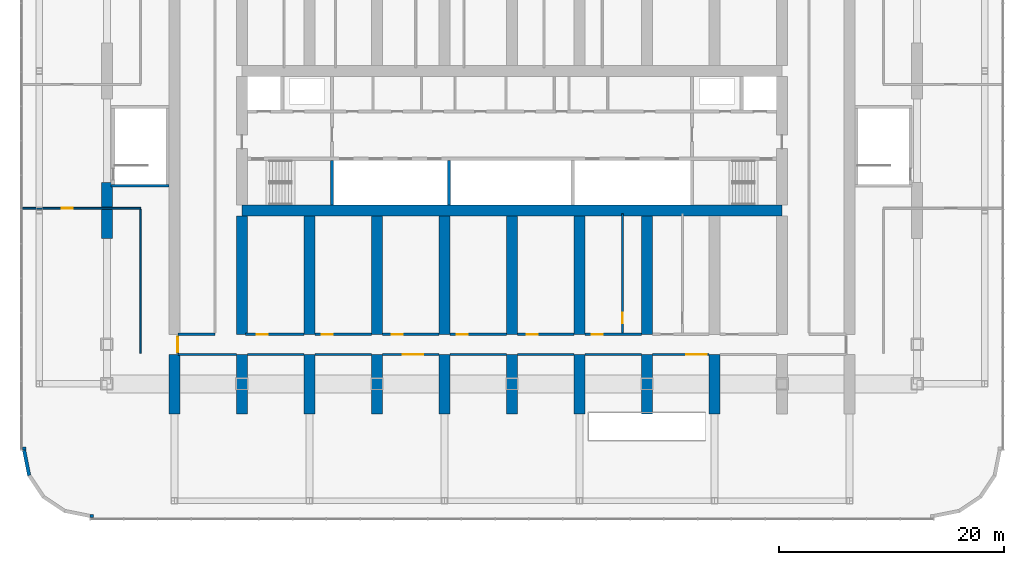
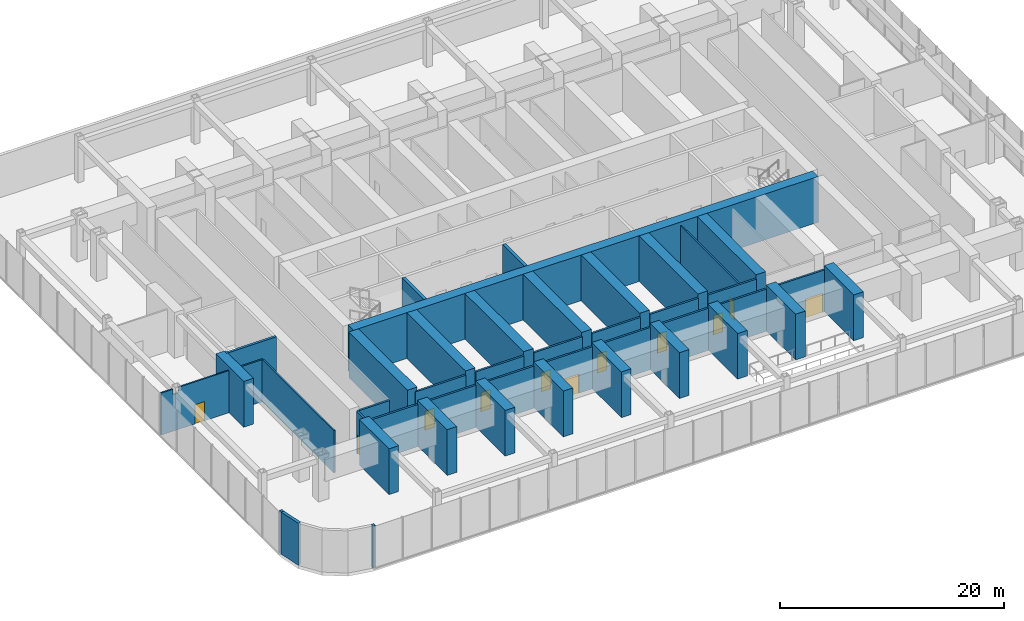
# One storey, part 12 of 26: 43 walls, 11 doors, 11 openings.
"""IFC4 building model written with IfcOpenShell, lengths in metres."""

from ifc_helpers import new_model, si_unit, direction, frame, frame_2d, origin, place, context, subcontext, project, spatial, polyline, rectangle, outline, extrude, material, layer, layer_set, type_object, element, fill, save


model = new_model("IFC4")

# Units and contexts
model_context = context("Model", 3, precision=1e-05, world=origin(), true_north=direction((0.0, 1.0)))
body_context = subcontext(model_context, "Body", "Model", "MODEL_VIEW")
ifc_project = project(units=[si_unit("LENGTHUNIT", "METRE"), si_unit("AREAUNIT", "SQUARE_METRE"), si_unit("VOLUMEUNIT", "CUBIC_METRE"), si_unit("PLANEANGLEUNIT", "RADIAN"), si_unit("MASSUNIT", "GRAM", prefix="KILO")], contexts=[model_context])

# Site, building, storey
site_placement = place(None, origin())
site = spatial("IfcSite", under=ifc_project, at=site_placement, CompositionType="ELEMENT")
building_placement = place(site_placement, origin())
building = spatial("IfcBuilding", under=site, at=building_placement, Name="Orbita Commons", CompositionType="ELEMENT")
storey_placement = place(building_placement, frame((0.0, 0.0, 11.0)))
storey = spatial("IfcBuildingStorey", under=building, at=storey_placement, Name="L02", CompositionType="ELEMENT", Elevation=11.0)

# Walls
ifc_material_1 = material(Name="Concrete C50/60", Category="concrete")
ifc_layer_1 = layer(ifc_material_1, 0.300048828125)
ifc_layer_set_1 = layer_set([ifc_layer_1], Name="Concrete C50/60")
wall_type_1 = type_object("IfcWallType", Name="Core inner wall 300 C50/60", PredefinedType="SHEAR", material=ifc_layer_set_1)
for number, where, z_axis, x_axis, name in (
    (1, (26.0, 26.300048828125, 0.0), (0.0, 0.0, 1.0), (0.0, 1.0, 0.0), "Stair S1 wall L02"),
    (2, (36.39990234375, 26.300048828125, 0.0), (0.0, 0.0, 1.0), (0.0, 1.0, 0.0), "Hoistway division wall L02"),
):
    element("IfcWall", number, at=place(storey_placement, frame(where, z_axis=z_axis, x_axis=x_axis)), inside=storey, type_object=wall_type_1, Name=name, PredefinedType="SHEAR", context=body_context, shape_type="SweptSolid", body=[
        extrude(rectangle(XDim=3.949951171875, YDim=0.300048828125, at=frame_2d((1.97509765625, 0.0))), origin(), (0.0, 0.0, 1.0), 5.0),
    ])
ifc_material_2 = material(Name="Concrete C50/60", Category="concrete")
ifc_layer_2 = layer(ifc_material_2, 1.0)
ifc_layer_set_2 = layer_set([ifc_layer_2], Name="Concrete C50/60")
wall_type_2 = type_object("IfcWallType", Name="Core wall 1000 C50/60", PredefinedType="SHEAR", material=ifc_layer_set_2)
wall_1_placement = place(storey_placement, frame((18.0, 25.800048828125, 0.0), z_axis=(0.0, 0.0, 1.0), x_axis=(1.0, 0.0, 0.0)))
element("IfcWall", 3, at=wall_1_placement, inside=storey, type_object=wall_type_2, Name="Core spine wall south L02", PredefinedType="SHEAR", context=body_context, shape_type="SweptSolid", body=[
    extrude(rectangle(XDim=48.0, YDim=1.0, at=frame_2d((24.0, 0.0))), origin(), (0.0, 0.0, 1.0), 5.0),
])
ifc_material_3 = material(Name="Concrete blockwork", Category="masonry")
ifc_layer_3 = layer(ifc_material_3, 0.199951171875)
ifc_layer_set_3 = layer_set([ifc_layer_3], Name="Concrete blockwork")
wall_type_3 = type_object("IfcWallType", Name="Corridor wall 200 blockwork", PredefinedType="SOLIDWALL", material=ifc_layer_set_3)
wall_2_placement = place(storey_placement, frame((12.300048828125, 13.0, 0.0), z_axis=(0.0, 0.0, 1.0), x_axis=(1.0, 0.0, 0.0)))
element("IfcWall", 4, at=wall_2_placement, inside=storey, type_object=wall_type_3, Name="Corridor wall 200 blockwork L02", PredefinedType="SOLIDWALL", context=body_context, shape_type="SweptSolid", body=[
    extrude(rectangle(XDim=5.199951171875, YDim=0.199951171875, at=frame_2d((2.60009765625, 0.0))), origin(), (0.0, 0.0, 1.0), 4.60009765625),
])
for number, where, z_axis, x_axis, name in (
    (5, (18.5, 13.0, 0.0), (0.0, 0.0, 1.0), (1.0, 0.0, 0.0), "Corridor wall 200 blockwork L02"),
    (6, (24.5, 13.0, 0.0), (0.0, 0.0, 1.0), (1.0, 0.0, 0.0), "Corridor wall 200 blockwork L02"),
):
    element("IfcWall", number, at=place(storey_placement, frame(where, z_axis=z_axis, x_axis=x_axis)), inside=storey, type_object=wall_type_3, Name=name, PredefinedType="SOLIDWALL", context=body_context, shape_type="SweptSolid", body=[
        extrude(rectangle(XDim=5.0, YDim=0.199951171875, at=frame_2d((2.5, 0.0))), origin(), (0.0, 0.0, 1.0), 4.60009765625),
    ])

# Wall, opening, door
wall_3_placement = place(storey_placement, frame((30.5, 13.0, 0.0), z_axis=(0.0, 0.0, 1.0), x_axis=(1.0, 0.0, 0.0)))
wall_3 = element("IfcWall", 7, at=wall_3_placement, inside=storey, type_object=wall_type_3, Name="Corridor wall 200 blockwork L02", PredefinedType="SOLIDWALL", context=body_context, shape_type="SweptSolid", body=[
    extrude(rectangle(XDim=5.0, YDim=0.199951171875, at=frame_2d((2.5, 0.0))), origin(), (0.0, 0.0, 1.0), 4.60009765625),
])
opening_1_placement = place(wall_3_placement, frame((1.800048828125, 0.0, 0.0)))
opening_1 = element("IfcOpeningElement", 8, at=opening_1_placement, cuts=wall_3, Name="Opening D07", PredefinedType="OPENING", context=body_context, shape_type="SweptSolid", body=[
    extrude(rectangle(XDim=1.800048828125, YDim=2.10009765625, at=frame_2d((0.89990234375, 1.050048828125))), frame((0.0, 0.10986328125, 0.0), z_axis=(0.0, -1.0, 0.0), x_axis=(1.0, 0.0, 0.0)), (0.0, 0.0, 1.0), 0.219970703125),
])
ifc_material_4 = material(Name="Steel-faced fire door leaf", Category="steel")
door_type_1 = type_object("IfcDoorType", Name="Double corridor door 20 min 1800x2100", OperationType="DOUBLE_DOOR_SINGLE_SWING", PredefinedType="DOOR", material=ifc_material_4)
door_1_placement = place(opening_1_placement, origin())
door_1 = element("IfcDoor", 9, at=door_1_placement, inside=storey, type_object=door_type_1, Name="Hall doors south", OperationType="DOUBLE_DOOR_SINGLE_SWING", OverallHeight=2.10009765625, OverallWidth=1.800048828125, PredefinedType="DOOR", context=body_context, shape_type="SweptSolid", body=[
    extrude(rectangle(XDim=1.800048828125, YDim=2.10009765625, at=frame_2d((0.89990234375, 1.050048828125))), frame((0.0, 0.02490234375, 0.0), z_axis=(0.0, -1.0, 0.0), x_axis=(1.0, 0.0, 0.0)), (0.0, 0.0, 1.0), 0.050048828125),
])
fill(opening_1, door_1)

# Walls
for number, where, z_axis, x_axis, name in (
    (10, (36.5, 13.0, 0.0), (0.0, 0.0, 1.0), (1.0, 0.0, 0.0), "Corridor wall 200 blockwork L02"),
    (11, (42.5, 13.0, 0.0), (0.0, 0.0, 1.0), (1.0, 0.0, 0.0), "Corridor wall 200 blockwork L02"),
    (12, (48.5, 13.0, 0.0), (0.0, 0.0, 1.0), (1.0, 0.0, 0.0), "Corridor wall 200 blockwork L02"),
):
    element("IfcWall", number, at=place(storey_placement, frame(where, z_axis=z_axis, x_axis=x_axis)), inside=storey, type_object=wall_type_3, Name=name, PredefinedType="SOLIDWALL", context=body_context, shape_type="SweptSolid", body=[
        extrude(rectangle(XDim=5.0, YDim=0.199951171875, at=frame_2d((2.5, 0.0))), origin(), (0.0, 0.0, 1.0), 4.60009765625),
    ])

# Wall, opening, door
wall_4_placement = place(storey_placement, frame((54.5, 13.0, 0.0), z_axis=(0.0, 0.0, 1.0), x_axis=(1.0, 0.0, 0.0)))
wall_4 = element("IfcWall", 13, at=wall_4_placement, inside=storey, type_object=wall_type_3, Name="Corridor wall 200 blockwork L02", PredefinedType="SOLIDWALL", context=body_context, shape_type="SweptSolid", body=[
    extrude(rectangle(XDim=5.0, YDim=0.199951171875, at=frame_2d((2.5, 0.0))), origin(), (0.0, 0.0, 1.0), 4.60009765625),
])
opening_2_placement = place(wall_4_placement, frame((3.0, 0.0, 0.0)))
opening_2 = element("IfcOpeningElement", 14, at=opening_2_placement, cuts=wall_4, Name="Opening D07", PredefinedType="OPENING", context=body_context, shape_type="SweptSolid", body=[
    extrude(rectangle(XDim=1.800048828125, YDim=2.10009765625, at=frame_2d((0.89990234375, 1.050048828125))), frame((0.0, 0.10986328125, 0.0), z_axis=(0.0, -1.0, 0.0), x_axis=(1.0, 0.0, 0.0)), (0.0, 0.0, 1.0), 0.219970703125),
])
door_2_placement = place(opening_2_placement, origin())
door_2 = element("IfcDoor", 15, at=door_2_placement, inside=storey, type_object=door_type_1, Name="Hall doors south", OperationType="DOUBLE_DOOR_SINGLE_SWING", OverallHeight=2.10009765625, OverallWidth=1.800048828125, PredefinedType="DOOR", context=body_context, shape_type="SweptSolid", body=[
    extrude(rectangle(XDim=1.800048828125, YDim=2.10009765625, at=frame_2d((0.89990234375, 1.050048828125))), frame((0.0, 0.02490234375, 0.0), z_axis=(0.0, -1.0, 0.0), x_axis=(1.0, 0.0, 0.0)), (0.0, 0.0, 1.0), 0.050048828125),
])
fill(opening_2, door_2)

# Wall
wall_5_placement = place(storey_placement, frame((12.300048828125, 14.800048828125, 0.0), z_axis=(0.0, 0.0, 1.0), x_axis=(1.0, 0.0, 0.0)))
element("IfcWall", 16, at=wall_5_placement, inside=storey, type_object=wall_type_3, Name="Corridor wall 200 blockwork L02", PredefinedType="SOLIDWALL", context=body_context, shape_type="SweptSolid", body=[
    extrude(rectangle(XDim=3.300048828125, YDim=0.199951171875, at=frame_2d((1.64990234375, 0.0))), origin(), (0.0, 0.0, 1.0), 4.60009765625),
])

# Wall, opening, door
wall_6_placement = place(storey_placement, frame((18.300048828125, 14.800048828125, 0.0), z_axis=(0.0, 0.0, 1.0), x_axis=(1.0, 0.0, 0.0)))
wall_6 = element("IfcWall", 17, at=wall_6_placement, inside=storey, type_object=wall_type_3, Name="Corridor wall 200 blockwork L02", PredefinedType="SOLIDWALL", context=body_context, shape_type="SweptSolid", body=[
    extrude(rectangle(XDim=5.199951171875, YDim=0.199951171875, at=frame_2d((2.60009765625, 0.0))), origin(), (0.0, 0.0, 1.0), 4.60009765625),
])
opening_3_placement = place(wall_6_placement, frame((1.0, 0.0, 0.0)))
opening_3 = element("IfcOpeningElement", 18, at=opening_3_placement, cuts=wall_6, Name="Opening D06", PredefinedType="OPENING", context=body_context, shape_type="SweptSolid", body=[
    extrude(rectangle(XDim=1.0, YDim=2.10009765625, at=frame_2d((0.5, 1.050048828125))), frame((0.0, 0.10986328125, 0.0), z_axis=(0.0, -1.0, 0.0), x_axis=(1.0, 0.0, 0.0)), (0.0, 0.0, 1.0), 0.219970703125),
])
ifc_material_5 = material(Name="Steel-faced fire door leaf", Category="steel")
door_type_2 = type_object("IfcDoorType", Name="Corridor door 20 min 1000x2100", OperationType="SINGLE_SWING_LEFT", PredefinedType="DOOR", material=ifc_material_5)
door_3_placement = place(opening_3_placement, origin())
door_3 = element("IfcDoor", 19, at=door_3_placement, inside=storey, type_object=door_type_2, Name="Room door", OperationType="SINGLE_SWING_LEFT", OverallHeight=2.10009765625, OverallWidth=1.0, PredefinedType="DOOR", context=body_context, shape_type="SweptSolid", body=[
    extrude(rectangle(XDim=1.0, YDim=2.10009765625, at=frame_2d((0.5, 1.050048828125))), frame((0.0, 0.02490234375, 0.0), z_axis=(0.0, -1.0, 0.0), x_axis=(1.0, 0.0, 0.0)), (0.0, 0.0, 1.0), 0.050048828125),
])
fill(opening_3, door_3)

wall_7_placement = place(storey_placement, frame((24.5, 14.800048828125, 0.0), z_axis=(0.0, 0.0, 1.0), x_axis=(1.0, 0.0, 0.0)))
wall_7 = element("IfcWall", 20, at=wall_7_placement, inside=storey, type_object=wall_type_3, Name="Corridor wall 200 blockwork L02", PredefinedType="SOLIDWALL", context=body_context, shape_type="SweptSolid", body=[
    extrude(rectangle(XDim=5.0, YDim=0.199951171875, at=frame_2d((2.5, 0.0))), origin(), (0.0, 0.0, 1.0), 4.60009765625),
])
opening_4_placement = place(wall_7_placement, frame((0.574951171875, 0.0, 0.0)))
opening_4 = element("IfcOpeningElement", 21, at=opening_4_placement, cuts=wall_7, Name="Opening D06", PredefinedType="OPENING", context=body_context, shape_type="SweptSolid", body=[
    extrude(rectangle(XDim=1.0, YDim=2.10009765625, at=frame_2d((0.5, 1.050048828125))), frame((0.0, 0.10986328125, 0.0), z_axis=(0.0, -1.0, 0.0), x_axis=(1.0, 0.0, 0.0)), (0.0, 0.0, 1.0), 0.219970703125),
])
door_4_placement = place(opening_4_placement, origin())
door_4 = element("IfcDoor", 22, at=door_4_placement, inside=storey, type_object=door_type_2, Name="Room door", OperationType="SINGLE_SWING_LEFT", OverallHeight=2.10009765625, OverallWidth=1.0, PredefinedType="DOOR", context=body_context, shape_type="SweptSolid", body=[
    extrude(rectangle(XDim=1.0, YDim=2.10009765625, at=frame_2d((0.5, 1.050048828125))), frame((0.0, 0.02490234375, 0.0), z_axis=(0.0, -1.0, 0.0), x_axis=(1.0, 0.0, 0.0)), (0.0, 0.0, 1.0), 0.050048828125),
])
fill(opening_4, door_4)

wall_8_placement = place(storey_placement, frame((30.5, 14.800048828125, 0.0), z_axis=(0.0, 0.0, 1.0), x_axis=(1.0, 0.0, 0.0)))
wall_8 = element("IfcWall", 23, at=wall_8_placement, inside=storey, type_object=wall_type_3, Name="Corridor wall 200 blockwork L02", PredefinedType="SOLIDWALL", context=body_context, shape_type="SweptSolid", body=[
    extrude(rectangle(XDim=5.0, YDim=0.199951171875, at=frame_2d((2.5, 0.0))), origin(), (0.0, 0.0, 1.0), 4.60009765625),
])
opening_5_placement = place(wall_8_placement, frame((0.800048828125, 0.0, 0.0)))
opening_5 = element("IfcOpeningElement", 24, at=opening_5_placement, cuts=wall_8, Name="Opening D06", PredefinedType="OPENING", context=body_context, shape_type="SweptSolid", body=[
    extrude(rectangle(XDim=1.0, YDim=2.10009765625, at=frame_2d((0.5, 1.050048828125))), frame((0.0, 0.10986328125, 0.0), z_axis=(0.0, -1.0, 0.0), x_axis=(1.0, 0.0, 0.0)), (0.0, 0.0, 1.0), 0.219970703125),
])
door_5_placement = place(opening_5_placement, origin())
door_5 = element("IfcDoor", 25, at=door_5_placement, inside=storey, type_object=door_type_2, Name="Room door", OperationType="SINGLE_SWING_LEFT", OverallHeight=2.10009765625, OverallWidth=1.0, PredefinedType="DOOR", context=body_context, shape_type="SweptSolid", body=[
    extrude(rectangle(XDim=1.0, YDim=2.10009765625, at=frame_2d((0.5, 1.050048828125))), frame((0.0, 0.02490234375, 0.0), z_axis=(0.0, -1.0, 0.0), x_axis=(1.0, 0.0, 0.0)), (0.0, 0.0, 1.0), 0.050048828125),
])
fill(opening_5, door_5)

wall_9_placement = place(storey_placement, frame((36.5, 14.800048828125, 0.0), z_axis=(0.0, 0.0, 1.0), x_axis=(1.0, 0.0, 0.0)))
wall_9 = element("IfcWall", 26, at=wall_9_placement, inside=storey, type_object=wall_type_3, Name="Corridor wall 200 blockwork L02", PredefinedType="SOLIDWALL", context=body_context, shape_type="SweptSolid", body=[
    extrude(rectangle(XDim=5.0, YDim=0.199951171875, at=frame_2d((2.5, 0.0))), origin(), (0.0, 0.0, 1.0), 4.60009765625),
])
opening_6_placement = place(wall_9_placement, frame((0.574951171875, 0.0, 0.0)))
opening_6 = element("IfcOpeningElement", 27, at=opening_6_placement, cuts=wall_9, Name="Opening D06", PredefinedType="OPENING", context=body_context, shape_type="SweptSolid", body=[
    extrude(rectangle(XDim=1.0, YDim=2.10009765625, at=frame_2d((0.5, 1.050048828125))), frame((0.0, 0.10986328125, 0.0), z_axis=(0.0, -1.0, 0.0), x_axis=(1.0, 0.0, 0.0)), (0.0, 0.0, 1.0), 0.219970703125),
])
door_6_placement = place(opening_6_placement, origin())
door_6 = element("IfcDoor", 28, at=door_6_placement, inside=storey, type_object=door_type_2, Name="Room door", OperationType="SINGLE_SWING_LEFT", OverallHeight=2.10009765625, OverallWidth=1.0, PredefinedType="DOOR", context=body_context, shape_type="SweptSolid", body=[
    extrude(rectangle(XDim=1.0, YDim=2.10009765625, at=frame_2d((0.5, 1.050048828125))), frame((0.0, 0.02490234375, 0.0), z_axis=(0.0, -1.0, 0.0), x_axis=(1.0, 0.0, 0.0)), (0.0, 0.0, 1.0), 0.050048828125),
])
fill(opening_6, door_6)

wall_10_placement = place(storey_placement, frame((42.5, 14.800048828125, 0.0), z_axis=(0.0, 0.0, 1.0), x_axis=(1.0, 0.0, 0.0)))
wall_10 = element("IfcWall", 29, at=wall_10_placement, inside=storey, type_object=wall_type_3, Name="Corridor wall 200 blockwork L02", PredefinedType="SOLIDWALL", context=body_context, shape_type="SweptSolid", body=[
    extrude(rectangle(XDim=5.0, YDim=0.199951171875, at=frame_2d((2.5, 0.0))), origin(), (0.0, 0.0, 1.0), 4.60009765625),
])
opening_7_placement = place(wall_10_placement, frame((0.800048828125, 0.0, 0.0)))
opening_7 = element("IfcOpeningElement", 30, at=opening_7_placement, cuts=wall_10, Name="Opening D06", PredefinedType="OPENING", context=body_context, shape_type="SweptSolid", body=[
    extrude(rectangle(XDim=1.0, YDim=2.10009765625, at=frame_2d((0.5, 1.050048828125))), frame((0.0, 0.10986328125, 0.0), z_axis=(0.0, -1.0, 0.0), x_axis=(1.0, 0.0, 0.0)), (0.0, 0.0, 1.0), 0.219970703125),
])
door_7_placement = place(opening_7_placement, origin())
door_7 = element("IfcDoor", 31, at=door_7_placement, inside=storey, type_object=door_type_2, Name="Room door", OperationType="SINGLE_SWING_LEFT", OverallHeight=2.10009765625, OverallWidth=1.0, PredefinedType="DOOR", context=body_context, shape_type="SweptSolid", body=[
    extrude(rectangle(XDim=1.0, YDim=2.10009765625, at=frame_2d((0.5, 1.050048828125))), frame((0.0, 0.02490234375, 0.0), z_axis=(0.0, -1.0, 0.0), x_axis=(1.0, 0.0, 0.0)), (0.0, 0.0, 1.0), 0.050048828125),
])
fill(opening_7, door_7)

wall_11_placement = place(storey_placement, frame((48.5, 14.800048828125, 0.0), z_axis=(0.0, 0.0, 1.0), x_axis=(1.0, 0.0, 0.0)))
wall_11 = element("IfcWall", 32, at=wall_11_placement, inside=storey, type_object=wall_type_3, Name="Corridor wall 200 blockwork L02", PredefinedType="SOLIDWALL", context=body_context, shape_type="SweptSolid", body=[
    extrude(rectangle(XDim=5.0, YDim=0.199951171875, at=frame_2d((2.5, 0.0))), origin(), (0.0, 0.0, 1.0), 4.60009765625),
])
opening_8_placement = place(wall_11_placement, frame((0.574951171875, 0.0, 0.0)))
opening_8 = element("IfcOpeningElement", 33, at=opening_8_placement, cuts=wall_11, Name="Opening D06", PredefinedType="OPENING", context=body_context, shape_type="SweptSolid", body=[
    extrude(rectangle(XDim=1.0, YDim=2.10009765625, at=frame_2d((0.5, 1.050048828125))), frame((0.0, 0.10986328125, 0.0), z_axis=(0.0, -1.0, 0.0), x_axis=(1.0, 0.0, 0.0)), (0.0, 0.0, 1.0), 0.219970703125),
])
door_8_placement = place(opening_8_placement, origin())
door_8 = element("IfcDoor", 34, at=door_8_placement, inside=storey, type_object=door_type_2, Name="Room door", OperationType="SINGLE_SWING_LEFT", OverallHeight=2.10009765625, OverallWidth=1.0, PredefinedType="DOOR", context=body_context, shape_type="SweptSolid", body=[
    extrude(rectangle(XDim=1.0, YDim=2.10009765625, at=frame_2d((0.5, 1.050048828125))), frame((0.0, 0.02490234375, 0.0), z_axis=(0.0, -1.0, 0.0), x_axis=(1.0, 0.0, 0.0)), (0.0, 0.0, 1.0), 0.050048828125),
])
fill(opening_8, door_8)

wall_12_placement = place(storey_placement, frame((12.300048828125, 13.10009765625, 0.0), z_axis=(0.0, 0.0, 1.0), x_axis=(0.0, 1.0, 0.0)))
wall_12 = element("IfcWall", 35, at=wall_12_placement, inside=storey, type_object=wall_type_3, Name="Corridor wall 200 blockwork L02", PredefinedType="SOLIDWALL", context=body_context, shape_type="SweptSolid", body=[
    extrude(rectangle(XDim=1.599853515625, YDim=0.199951171875, at=frame_2d((0.7998046875, 0.0))), origin(), (0.0, 0.0, 1.0), 4.60009765625),
])
opening_9_placement = place(wall_12_placement, frame((0.10009765625, 0.0, 0.0)))
opening_9 = element("IfcOpeningElement", 36, at=opening_9_placement, cuts=wall_12, Name="Opening D08", PredefinedType="OPENING", context=body_context, shape_type="SweptSolid", body=[
    extrude(rectangle(XDim=1.39990234375, YDim=2.10009765625, at=frame_2d((0.699951171875, 1.050048828125))), frame((0.0, 0.10986328125, 0.0), z_axis=(0.0, -1.0, 0.0), x_axis=(1.0, 0.0, 0.0)), (0.0, 0.0, 1.0), 0.219970703125),
])
ifc_material_6 = material(Name="Steel-faced fire door leaf", Category="steel")
door_type_3 = type_object("IfcDoorType", Name="Double corridor door 20 min 1400x2100", OperationType="DOUBLE_DOOR_SINGLE_SWING", PredefinedType="DOOR", material=ifc_material_6)
door_9_placement = place(opening_9_placement, origin())
door_9 = element("IfcDoor", 37, at=door_9_placement, inside=storey, type_object=door_type_3, Name="End room doors", OperationType="DOUBLE_DOOR_SINGLE_SWING", OverallHeight=2.10009765625, OverallWidth=1.39990234375, PredefinedType="DOOR", context=body_context, shape_type="SweptSolid", body=[
    extrude(rectangle(XDim=1.39990234375, YDim=2.10009765625, at=frame_2d((0.699951171875, 1.050048828125))), frame((0.0, 0.02490234375, 0.0), z_axis=(0.0, -1.0, 0.0), x_axis=(1.0, 0.0, 0.0)), (0.0, 0.0, 1.0), 0.050048828125),
])
fill(opening_9, door_9)

# Walls
ifc_material_7 = material(Name="Concrete C50/60", Category="concrete")
ifc_layer_4 = layer(ifc_material_7, 1.0)
ifc_layer_set_4 = layer_set([ifc_layer_4], Name="Concrete C50/60")
wall_type_4 = type_object("IfcWallType", Name="Cross wall 1000 C50/60", PredefinedType="SHEAR", material=ifc_layer_set_4)
for number, where, z_axis, x_axis, name in (
    (38, (12.0, 7.699951171875, 0.0), (0.0, 0.0, 1.0), (0.0, 1.0, 0.0), "Cross wall 3 south outer L02"),
    (39, (18.0, 7.699951171875, 0.0), (0.0, 0.0, 1.0), (0.0, 1.0, 0.0), "Cross wall 4 south outer L02"),
):
    element("IfcWall", number, at=place(storey_placement, frame(where, z_axis=z_axis, x_axis=x_axis)), inside=storey, type_object=wall_type_4, Name=name, PredefinedType="SHEAR", context=body_context, shape_type="SweptSolid", body=[
        extrude(rectangle(XDim=5.300048828125, YDim=1.0, at=frame_2d((2.64990234375, 0.0))), origin(), (0.0, 0.0, 1.0), 5.0),
    ])
wall_13_placement = place(storey_placement, frame((18.0, 14.800048828125, 0.0), z_axis=(0.0, 0.0, 1.0), x_axis=(0.0, 1.0, 0.0)))
element("IfcWall", 40, at=wall_13_placement, inside=storey, type_object=wall_type_4, Name="Cross wall 4 south inner L02", PredefinedType="SHEAR", context=body_context, shape_type="SweptSolid", body=[
    extrude(rectangle(XDim=10.5, YDim=1.0, at=frame_2d((5.25, 0.0))), origin(), (0.0, 0.0, 1.0), 5.0),
])
wall_14_placement = place(storey_placement, frame((24.0, 7.699951171875, 0.0), z_axis=(0.0, 0.0, 1.0), x_axis=(0.0, 1.0, 0.0)))
element("IfcWall", 41, at=wall_14_placement, inside=storey, type_object=wall_type_4, Name="Cross wall 5 south outer L02", PredefinedType="SHEAR", context=body_context, shape_type="SweptSolid", body=[
    extrude(rectangle(XDim=5.300048828125, YDim=1.0, at=frame_2d((2.64990234375, 0.0))), origin(), (0.0, 0.0, 1.0), 5.0),
])
wall_15_placement = place(storey_placement, frame((24.0, 14.800048828125, 0.0), z_axis=(0.0, 0.0, 1.0), x_axis=(0.0, 1.0, 0.0)))
element("IfcWall", 42, at=wall_15_placement, inside=storey, type_object=wall_type_4, Name="Cross wall 5 south inner L02", PredefinedType="SHEAR", context=body_context, shape_type="SweptSolid", body=[
    extrude(rectangle(XDim=10.5, YDim=1.0, at=frame_2d((5.25, 0.0))), origin(), (0.0, 0.0, 1.0), 5.0),
])
wall_16_placement = place(storey_placement, frame((30.0, 7.699951171875, 0.0), z_axis=(0.0, 0.0, 1.0), x_axis=(0.0, 1.0, 0.0)))
element("IfcWall", 43, at=wall_16_placement, inside=storey, type_object=wall_type_4, Name="Cross wall 6 south outer L02", PredefinedType="SHEAR", context=body_context, shape_type="SweptSolid", body=[
    extrude(rectangle(XDim=5.300048828125, YDim=1.0, at=frame_2d((2.64990234375, 0.0))), origin(), (0.0, 0.0, 1.0), 5.0),
])
wall_17_placement = place(storey_placement, frame((30.0, 14.800048828125, 0.0), z_axis=(0.0, 0.0, 1.0), x_axis=(0.0, 1.0, 0.0)))
element("IfcWall", 44, at=wall_17_placement, inside=storey, type_object=wall_type_4, Name="Cross wall 6 south inner L02", PredefinedType="SHEAR", context=body_context, shape_type="SweptSolid", body=[
    extrude(rectangle(XDim=10.5, YDim=1.0, at=frame_2d((5.25, 0.0))), origin(), (0.0, 0.0, 1.0), 5.0),
])
wall_18_placement = place(storey_placement, frame((36.0, 7.699951171875, 0.0), z_axis=(0.0, 0.0, 1.0), x_axis=(0.0, 1.0, 0.0)))
element("IfcWall", 45, at=wall_18_placement, inside=storey, type_object=wall_type_4, Name="Cross wall 7 south outer L02", PredefinedType="SHEAR", context=body_context, shape_type="SweptSolid", body=[
    extrude(rectangle(XDim=5.300048828125, YDim=1.0, at=frame_2d((2.64990234375, 0.0))), origin(), (0.0, 0.0, 1.0), 5.0),
])
wall_19_placement = place(storey_placement, frame((36.0, 14.800048828125, 0.0), z_axis=(0.0, 0.0, 1.0), x_axis=(0.0, 1.0, 0.0)))
element("IfcWall", 46, at=wall_19_placement, inside=storey, type_object=wall_type_4, Name="Cross wall 7 south inner L02", PredefinedType="SHEAR", context=body_context, shape_type="SweptSolid", body=[
    extrude(rectangle(XDim=10.5, YDim=1.0, at=frame_2d((5.25, 0.0))), origin(), (0.0, 0.0, 1.0), 5.0),
])
wall_20_placement = place(storey_placement, frame((42.0, 7.699951171875, 0.0), z_axis=(0.0, 0.0, 1.0), x_axis=(0.0, 1.0, 0.0)))
element("IfcWall", 47, at=wall_20_placement, inside=storey, type_object=wall_type_4, Name="Cross wall 8 south outer L02", PredefinedType="SHEAR", context=body_context, shape_type="SweptSolid", body=[
    extrude(rectangle(XDim=5.300048828125, YDim=1.0, at=frame_2d((2.64990234375, 0.0))), origin(), (0.0, 0.0, 1.0), 5.0),
])
wall_21_placement = place(storey_placement, frame((42.0, 14.800048828125, 0.0), z_axis=(0.0, 0.0, 1.0), x_axis=(0.0, 1.0, 0.0)))
element("IfcWall", 48, at=wall_21_placement, inside=storey, type_object=wall_type_4, Name="Cross wall 8 south inner L02", PredefinedType="SHEAR", context=body_context, shape_type="SweptSolid", body=[
    extrude(rectangle(XDim=10.5, YDim=1.0, at=frame_2d((5.25, 0.0))), origin(), (0.0, 0.0, 1.0), 5.0),
])
wall_22_placement = place(storey_placement, frame((48.0, 7.699951171875, 0.0), z_axis=(0.0, 0.0, 1.0), x_axis=(0.0, 1.0, 0.0)))
element("IfcWall", 49, at=wall_22_placement, inside=storey, type_object=wall_type_4, Name="Cross wall 9 south outer L02", PredefinedType="SHEAR", context=body_context, shape_type="SweptSolid", body=[
    extrude(rectangle(XDim=5.300048828125, YDim=1.0, at=frame_2d((2.64990234375, 0.0))), origin(), (0.0, 0.0, 1.0), 5.0),
])
wall_23_placement = place(storey_placement, frame((48.0, 14.800048828125, 0.0), z_axis=(0.0, 0.0, 1.0), x_axis=(0.0, 1.0, 0.0)))
element("IfcWall", 50, at=wall_23_placement, inside=storey, type_object=wall_type_4, Name="Cross wall 9 south inner L02", PredefinedType="SHEAR", context=body_context, shape_type="SweptSolid", body=[
    extrude(rectangle(XDim=10.5, YDim=1.0, at=frame_2d((5.25, 0.0))), origin(), (0.0, 0.0, 1.0), 5.0),
])
wall_24_placement = place(storey_placement, frame((54.0, 7.699951171875, 0.0), z_axis=(0.0, 0.0, 1.0), x_axis=(0.0, 1.0, 0.0)))
element("IfcWall", 51, at=wall_24_placement, inside=storey, type_object=wall_type_4, Name="Cross wall 10 south outer L02", PredefinedType="SHEAR", context=body_context, shape_type="SweptSolid", body=[
    extrude(rectangle(XDim=5.300048828125, YDim=1.0, at=frame_2d((2.64990234375, 0.0))), origin(), (0.0, 0.0, 1.0), 5.0),
])
wall_25_placement = place(storey_placement, frame((54.0, 14.800048828125, 0.0), z_axis=(0.0, 0.0, 1.0), x_axis=(0.0, 1.0, 0.0)))
element("IfcWall", 52, at=wall_25_placement, inside=storey, type_object=wall_type_4, Name="Cross wall 10 south inner L02", PredefinedType="SHEAR", context=body_context, shape_type="SweptSolid", body=[
    extrude(rectangle(XDim=10.5, YDim=1.0, at=frame_2d((5.25, 0.0))), origin(), (0.0, 0.0, 1.0), 5.0),
])
wall_26_placement = place(storey_placement, frame((60.0, 7.699951171875, 0.0), z_axis=(0.0, 0.0, 1.0), x_axis=(0.0, 1.0, 0.0)))
element("IfcWall", 53, at=wall_26_placement, inside=storey, type_object=wall_type_4, Name="Cross wall 11 south outer L02", PredefinedType="SHEAR", context=body_context, shape_type="SweptSolid", body=[
    extrude(rectangle(XDim=5.300048828125, YDim=1.0, at=frame_2d((2.64990234375, 0.0))), origin(), (0.0, 0.0, 1.0), 5.0),
])
ifc_material_8 = material(Name="Concrete C50/60", Category="concrete")
ifc_layer_5 = layer(ifc_material_8, 1.0)
ifc_layer_set_5 = layer_set([ifc_layer_5], Name="Concrete C50/60")
wall_type_5 = type_object("IfcWallType", Name="End pier 1000x5000 C50/60", PredefinedType="SHEAR", material=ifc_layer_set_5)
wall_27_placement = place(storey_placement, frame((6.0, 23.300048828125, 0.0), z_axis=(0.0, 0.0, 1.0), x_axis=(0.0, 1.0, 0.0)))
element("IfcWall", 54, at=wall_27_placement, inside=storey, type_object=wall_type_5, Name="End pier 2/C L02", PredefinedType="SHEAR", context=body_context, shape_type="SweptSolid", body=[
    extrude(rectangle(XDim=5.0, YDim=1.0, at=frame_2d((2.5, 0.0))), origin(), (0.0, 0.0, 1.0), 5.0),
])

# Wall, opening, door
ifc_material_9 = material(Name="Gypsum plasterboard on steel studs", Category="steel")
ifc_layer_6 = layer(ifc_material_9, 0.14990234375)
ifc_layer_set_6 = layer_set([ifc_layer_6], Name="Gypsum plasterboard on steel studs")
wall_type_6 = type_object("IfcWallType", Name="Partition 150 plasterboard", PredefinedType="PARTITIONING", material=ifc_layer_set_6)
wall_28_placement = place(storey_placement, frame((51.824951171875, 14.800048828125, 0.0), z_axis=(0.0, 0.0, 1.0), x_axis=(0.0, 1.0, 0.0)))
wall_28 = element("IfcWall", 55, at=wall_28_placement, inside=storey, type_object=wall_type_6, Name="Partition 150 plasterboard L02", PredefinedType="PARTITIONING", context=body_context, shape_type="SweptSolid", body=[
    extrude(rectangle(XDim=10.699951171875, YDim=0.14990234375, at=frame_2d((5.35009765625, 0.0))), origin(), (0.0, 0.0, 1.0), 4.60009765625),
])
opening_10_placement = place(wall_28_placement, frame((1.0, 0.0, 0.0)))
opening_10 = element("IfcOpeningElement", 56, at=opening_10_placement, cuts=wall_28, Name="Opening D09", PredefinedType="OPENING", context=body_context, shape_type="SweptSolid", body=[
    extrude(rectangle(XDim=0.89990234375, YDim=2.10009765625, at=frame_2d((0.449951171875, 1.050048828125))), frame((0.0, 0.0849609375, 0.0), z_axis=(0.0, -1.0, 0.0), x_axis=(1.0, 0.0, 0.0)), (0.0, 0.0, 1.0), 0.169921875),
])
ifc_material_10 = material(Name="Laminated timber door leaf", Category="wood")
door_type_4 = type_object("IfcDoorType", Name="En-suite door 900x2100", OperationType="SINGLE_SWING_RIGHT", PredefinedType="DOOR", material=ifc_material_10)
door_10_placement = place(opening_10_placement, origin())
door_10 = element("IfcDoor", 57, at=door_10_placement, inside=storey, type_object=door_type_4, Name="Stationery store L02 door", OperationType="SINGLE_SWING_RIGHT", OverallHeight=2.10009765625, OverallWidth=0.89990234375, PredefinedType="DOOR", context=body_context, shape_type="SweptSolid", body=[
    extrude(rectangle(XDim=0.89990234375, YDim=2.10009765625, at=frame_2d((0.449951171875, 1.050048828125))), frame((0.0, 0.02490234375, 0.0), z_axis=(0.0, -1.0, 0.0), x_axis=(1.0, 0.0, 0.0)), (0.0, 0.0, 1.0), 0.050048828125),
])
fill(opening_10, door_10)

wall_29_placement = place(storey_placement, frame((-1.489990234375, 26.0, 0.0), z_axis=(0.0, 0.0, 1.0), x_axis=(1.0, 0.0, 0.0)))
wall_29 = element("IfcWall", 58, at=wall_29_placement, inside=storey, type_object=wall_type_6, Name="Partition 150 plasterboard L02", PredefinedType="PARTITIONING", context=body_context, shape_type="SweptSolid", body=[
    extrude(outline(polyline([(0.0, 0.0), (10.489990234375, 0.0), (10.489990234375, 4.60009765625), (1.7919921875, 4.60009765625), (1.7900390625, 4.0), (1.19189453125, 4.0), (1.18994140625, 4.60009765625), (0.0, 4.60009765625), (0.0, 0.0)])), frame((0.0, 0.074951171875, 0.0), z_axis=(0.0, -1.0, 0.0), x_axis=(1.0, 0.0, 0.0)), (0.0, 0.0, 1.0), 0.14990234375),
])
opening_11_placement = place(wall_29_placement, frame((3.469970703125, 0.0, 0.0)))
opening_11 = element("IfcOpeningElement", 59, at=opening_11_placement, cuts=wall_29, Name="Opening D06", PredefinedType="OPENING", context=body_context, shape_type="SweptSolid", body=[
    extrude(rectangle(XDim=1.0, YDim=2.10009765625, at=frame_2d((0.5, 1.050048828125))), frame((0.0, 0.0849609375, 0.0), z_axis=(0.0, -1.0, 0.0), x_axis=(1.0, 0.0, 0.0)), (0.0, 0.0, 1.0), 0.169921875),
])
door_11_placement = place(opening_11_placement, origin())
door_11 = element("IfcDoor", 60, at=door_11_placement, inside=storey, type_object=door_type_2, Name="Library office door", OperationType="SINGLE_SWING_LEFT", OverallHeight=2.10009765625, OverallWidth=1.0, PredefinedType="DOOR", context=body_context, shape_type="SweptSolid", body=[
    extrude(rectangle(XDim=1.0, YDim=2.10009765625, at=frame_2d((0.5, 1.050048828125))), frame((0.0, 0.02490234375, 0.0), z_axis=(0.0, -1.0, 0.0), x_axis=(1.0, 0.0, 0.0)), (0.0, 0.0, 1.0), 0.050048828125),
])
fill(opening_11, door_11)

# Walls
wall_30_placement = place(storey_placement, frame((9.0, 13.10009765625, 0.0), z_axis=(0.0, 0.0, 1.0), x_axis=(0.0, 1.0, 0.0)))
element("IfcWall", 61, at=wall_30_placement, inside=storey, type_object=wall_type_6, Name="Partition 150 plasterboard L02", PredefinedType="PARTITIONING", context=body_context, shape_type="SweptSolid", body=[
    extrude(rectangle(XDim=12.824951171875, YDim=0.14990234375, at=frame_2d((6.41259765625, 0.0))), origin(), (0.0, 0.0, 1.0), 4.60009765625),
])
ifc_material_11 = material(Name="Concrete C50/60", Category="concrete")
ifc_layer_7 = layer(ifc_material_11, 0.25)
ifc_layer_set_7 = layer_set([ifc_layer_7], Name="Concrete C50/60")
wall_type_7 = type_object("IfcWallType", Name="Podium stair wall 250 RC", PredefinedType="SHEAR", material=ifc_layer_set_7)
wall_31_placement = place(storey_placement, frame((6.375, 28.0, 0.0), z_axis=(0.0, 0.0, 1.0), x_axis=(1.0, 0.0, 0.0)))
element("IfcWall", 62, at=wall_31_placement, inside=storey, type_object=wall_type_7, Name="Podium stair PS1 wall s L02", PredefinedType="SHEAR", context=body_context, shape_type="SweptSolid", body=[
    extrude(rectangle(XDim=5.14990234375, YDim=0.25, at=frame_2d((2.574951171875, 0.0))), origin(), (0.0, 0.0, 1.0), 5.0),
])
ifc_material_12 = material(Name="Precast concrete C40/50, white board-marked finish", Category="concrete")
ifc_layer_8 = layer(ifc_material_12, 0.300048828125)
ifc_layer_set_8 = layer_set([ifc_layer_8], Name="Precast concrete C40/50, white board-marked finish")
wall_type_8 = type_object("IfcWallType", Name="Precast concrete end shield 300", PredefinedType="SOLIDWALL", material=ifc_layer_set_8)
wall_32_placement = place(storey_placement, frame((-1.35009765625, 4.5, 0.0), z_axis=(0.0, 0.0, 1.0), x_axis=(0.195087604935, -0.98078582086, 0.0)))
element("IfcWall", 63, at=wall_32_placement, inside=storey, type_object=wall_type_8, Name="Podium corner wall SW 1 L02", PredefinedType="SOLIDWALL", context=body_context, shape_type="SweptSolid", body=[
    extrude(outline(polyline([(-0.014892578125, -0.14990234375), (2.3125, -0.14990234375), (2.2529296875, 0.14990234375), (0.014892578125, 0.14990234375), (-0.014892578125, -0.14990234375)])), origin(), (0.0, 0.0, 1.0), 4.60009765625),
])
for number, where, z_axis, x_axis, name in (
    (64, (4.5, -1.35009765625, 0.0), (0.0, 0.0, 1.0), (1.0, 0.0, 0.0), "Podium corner wall jamb S2 L02"),
    (65, (-1.35009765625, 4.5, 0.0), (0.0, 0.0, 1.0), (0.0, 1.0, 0.0), "Podium corner wall jamb W1 L02"),
):
    element("IfcWall", number, at=place(storey_placement, frame(where, z_axis=z_axis, x_axis=x_axis)), inside=storey, type_object=wall_type_8, Name=name, PredefinedType="SOLIDWALL", context=body_context, shape_type="SweptSolid", body=[
        extrude(rectangle(XDim=0.300048828125, YDim=0.300048828125, at=frame_2d((0.14990234375, 0.0))), origin(), (0.0, 0.0, 1.0), 4.60009765625),
    ])

save(model, "model.ifc")
